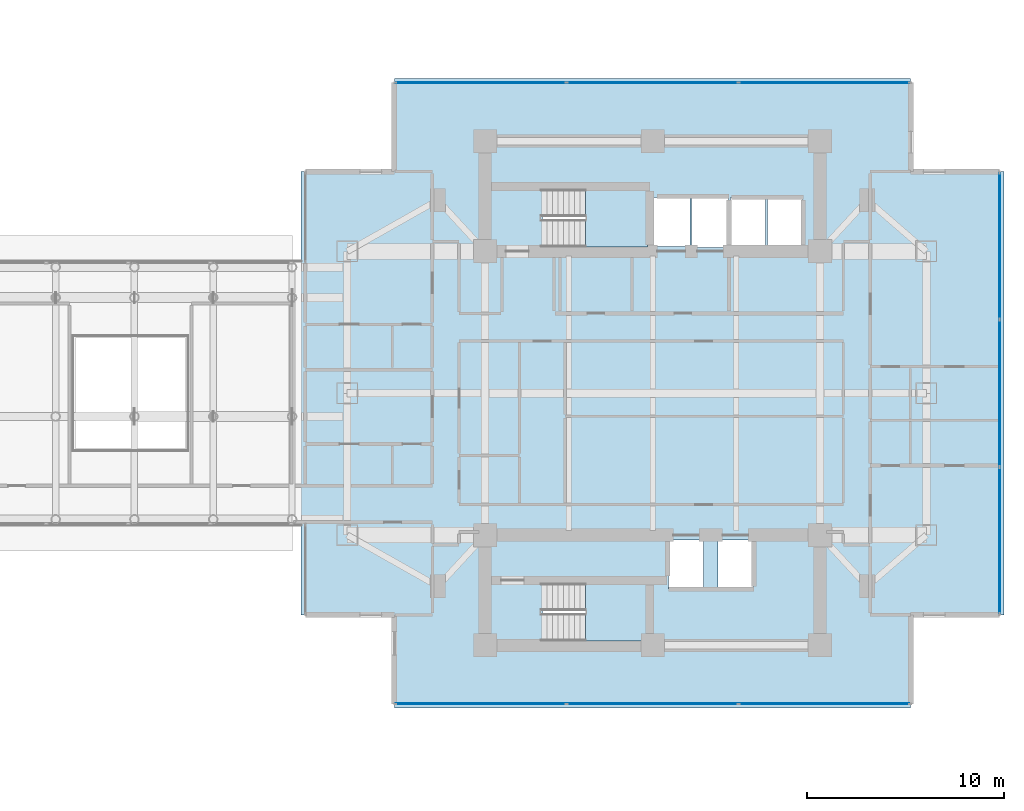
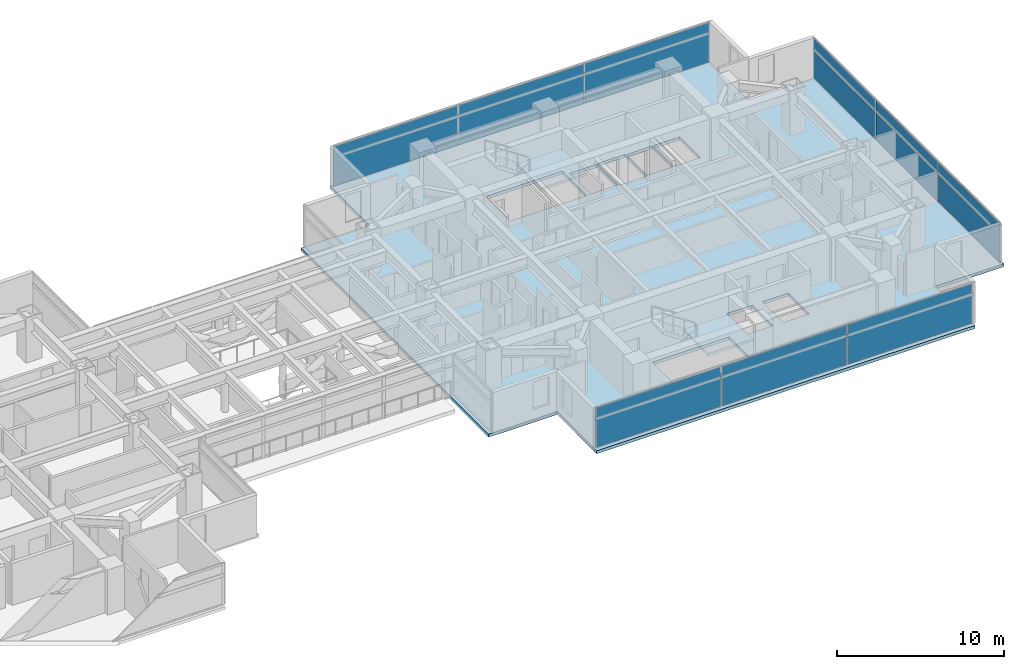
# One storey, part 13 of 27: 9 plates, 3 slabs, 5 elements without a shape of their own.
"""IFC4 building model written with IfcOpenShell, lengths in metres."""

from ifc_helpers import new_model, si_unit, direction, frame, origin, origin_2d, place, context, subcontext, project, spatial, polyline, rectangle, outline, extrude, material, layer, layer_set, type_object, element, aggregate, save


model = new_model("IFC4")

# Units and contexts
model_context = context("Model", 3, precision=1e-05, world=origin(), true_north=direction((0.0, 1.0)))
body_context = subcontext(model_context, "Body", "Model", "MODEL_VIEW")
ifc_project = project(units=[si_unit("LENGTHUNIT", "METRE"), si_unit("AREAUNIT", "SQUARE_METRE"), si_unit("VOLUMEUNIT", "CUBIC_METRE"), si_unit("PLANEANGLEUNIT", "RADIAN"), si_unit("MASSUNIT", "GRAM", prefix="KILO")], contexts=[model_context])

# Site, building, storey
site_placement = place(None, origin())
site = spatial("IfcSite", under=ifc_project, at=site_placement, CompositionType="ELEMENT")
building_placement = place(site_placement, origin())
building = spatial("IfcBuilding", under=site, at=building_placement, Name="Mirazonda Arch Towers", CompositionType="ELEMENT")
storey_placement = place(building_placement, frame((0.0, 0.0, 95.0)))
storey = spatial("IfcBuildingStorey", under=building, at=storey_placement, Name="L26", CompositionType="ELEMENT", Elevation=95.0)

# Curtain wall, plates
ifc_material_1 = material(Name="Anodised Aluminium and Low-E Glass", Category="aluminium")
curtain_wall_type = type_object("IfcCurtainWallType", Name="CW-HTL-UNIT", PredefinedType="NOTDEFINED", material=ifc_material_1)
curtain_wall_1_placement = place(storey_placement, origin())
curtain_wall_1 = element("IfcCurtainWall", 1, at=curtain_wall_1_placement, inside=storey, type_object=curtain_wall_type, Name="L26 T2 S Facade CW-L26-T2-S", PredefinedType="NOTDEFINED")
ifc_material_2 = material(Name="Insulated Low-E Solar Glass", Category="glass")
ifc_layer_1 = layer(ifc_material_2, 0.035888671875, Name="PAN-CW-HTL-UNIT")
ifc_layer_set_1 = layer_set([ifc_layer_1], Name="Insulated Low-E Solar Glass")
plate_type = type_object("IfcPlateType", Name="PAN-CW-HTL-UNIT", PredefinedType="CURTAIN_PANEL", material=ifc_layer_set_1)
plate_1_placement = place(storey_placement, frame((85.216064453125, 12.23583984375, 0.0751953125), z_axis=(0.0, 0.0, 1.0), x_axis=(-1.0, 0.0, 0.0)))
plate_1 = element("IfcPlate", 2, at=plate_1_placement, type_object=plate_type, Name="CW-112 panel 1.1", PredefinedType="CURTAIN_PANEL", context=body_context, shape_type="SweptSolid", body=[
    extrude(rectangle(XDim=8.622314453125, YDim=0.035888671875, at=origin_2d()), origin(), (0.0, 0.0, 1.0), 2.909912109375),
])
plate_2_placement = place(storey_placement, frame((76.5, 12.23583984375, 0.0751953125), z_axis=(0.0, 0.0, 1.0), x_axis=(-1.0, 0.0, 0.0)))
plate_2 = element("IfcPlate", 3, at=plate_2_placement, type_object=plate_type, Name="CW-112 panel 2.1", PredefinedType="CURTAIN_PANEL", context=body_context, shape_type="SweptSolid", body=[
    extrude(rectangle(XDim=8.659912109375, YDim=0.035888671875, at=origin_2d()), origin(), (0.0, 0.0, 1.0), 2.909912109375),
])
plate_3_placement = place(storey_placement, frame((67.783935546875, 12.23583984375, 0.0751953125), z_axis=(0.0, 0.0, 1.0), x_axis=(-1.0, 0.0, 0.0)))
plate_3 = element("IfcPlate", 4, at=plate_3_placement, type_object=plate_type, Name="CW-112 panel 3.1", PredefinedType="CURTAIN_PANEL", context=body_context, shape_type="SweptSolid", body=[
    extrude(rectangle(XDim=8.622314453125, YDim=0.035888671875, at=origin_2d()), origin(), (0.0, 0.0, 1.0), 2.909912109375),
])
aggregate(curtain_wall_1, [plate_1, plate_2, plate_3])

curtain_wall_2_placement = place(storey_placement, origin())
curtain_wall_2 = element("IfcCurtainWall", 5, at=curtain_wall_2_placement, inside=storey, type_object=curtain_wall_type, Name="L26 T2 E Facade CW-L26-T2-E", PredefinedType="NOTDEFINED")
plate_4_placement = place(storey_placement, frame((94.118408203125, 20.520263671875, 0.0751953125), z_axis=(0.0, 0.0, 1.0), x_axis=(0.0, 1.0, 0.0)))
plate_4 = element("IfcPlate", 6, at=plate_4_placement, type_object=plate_type, Name="CW-112 panel 1.1", PredefinedType="CURTAIN_PANEL", context=body_context, shape_type="SweptSolid", body=[
    extrude(rectangle(XDim=7.385986328125, YDim=0.035888671875, at=origin_2d()), origin(), (0.0, 0.0, 1.0), 2.909912109375),
])
plate_5_placement = place(storey_placement, frame((94.118408203125, 28.0, 0.0751953125), z_axis=(0.0, 0.0, 1.0), x_axis=(0.0, 1.0, 0.0)))
plate_5 = element("IfcPlate", 7, at=plate_5_placement, type_object=plate_type, Name="CW-112 panel 2.1", PredefinedType="CURTAIN_PANEL", context=body_context, shape_type="SweptSolid", body=[
    extrude(rectangle(XDim=7.423583984375, YDim=0.035888671875, at=origin_2d()), origin(), (0.0, 0.0, 1.0), 2.909912109375),
])
plate_6_placement = place(storey_placement, frame((94.118408203125, 35.479736328125, 0.0751953125), z_axis=(0.0, 0.0, 1.0), x_axis=(0.0, 1.0, 0.0)))
plate_6 = element("IfcPlate", 8, at=plate_6_placement, type_object=plate_type, Name="CW-112 panel 3.1", PredefinedType="CURTAIN_PANEL", context=body_context, shape_type="SweptSolid", body=[
    extrude(rectangle(XDim=7.385986328125, YDim=0.035888671875, at=origin_2d()), origin(), (0.0, 0.0, 1.0), 2.909912109375),
])
aggregate(curtain_wall_2, [plate_4, plate_5, plate_6])

curtain_wall_3_placement = place(storey_placement, origin())
curtain_wall_3 = element("IfcCurtainWall", 9, at=curtain_wall_3_placement, inside=storey, type_object=curtain_wall_type, Name="L26 T2 N Facade CW-L26-T2-N", PredefinedType="NOTDEFINED")
plate_7_placement = place(storey_placement, frame((67.783935546875, 43.76416015625, 0.0751953125), z_axis=(0.0, 0.0, 1.0), x_axis=(1.0, 0.0, 0.0)))
plate_7 = element("IfcPlate", 10, at=plate_7_placement, type_object=plate_type, Name="CW-112 panel 1.1", PredefinedType="CURTAIN_PANEL", context=body_context, shape_type="SweptSolid", body=[
    extrude(rectangle(XDim=8.622314453125, YDim=0.035888671875, at=origin_2d()), origin(), (0.0, 0.0, 1.0), 2.909912109375),
])
plate_8_placement = place(storey_placement, frame((76.5, 43.76416015625, 0.0751953125), z_axis=(0.0, 0.0, 1.0), x_axis=(1.0, 0.0, 0.0)))
plate_8 = element("IfcPlate", 11, at=plate_8_placement, type_object=plate_type, Name="CW-112 panel 2.1", PredefinedType="CURTAIN_PANEL", context=body_context, shape_type="SweptSolid", body=[
    extrude(rectangle(XDim=8.659912109375, YDim=0.035888671875, at=origin_2d()), origin(), (0.0, 0.0, 1.0), 2.909912109375),
])
plate_9_placement = place(storey_placement, frame((85.216064453125, 43.76416015625, 0.0751953125), z_axis=(0.0, 0.0, 1.0), x_axis=(1.0, 0.0, 0.0)))
plate_9 = element("IfcPlate", 12, at=plate_9_placement, type_object=plate_type, Name="CW-112 panel 3.1", PredefinedType="CURTAIN_PANEL", context=body_context, shape_type="SweptSolid", body=[
    extrude(rectangle(XDim=8.622314453125, YDim=0.035888671875, at=origin_2d()), origin(), (0.0, 0.0, 1.0), 2.909912109375),
])
aggregate(curtain_wall_3, [plate_7, plate_8, plate_9])

# Stair, slab
ifc_material_3 = material(Name="Concrete C40/50", Category="concrete")
stair_type = type_object("IfcStairType", Name="STAIR-CORE-1400", PredefinedType="HALF_TURN_STAIR", material=ifc_material_3)
stair_1_placement = place(storey_placement, origin())
stair_1 = element("IfcStair", 13, at=stair_1_placement, inside=storey, type_object=stair_type, Name="L26 Protected Exit Stair ST-T2N", PredefinedType="HALF_TURN_STAIR")
ifc_layer_2 = layer(ifc_material_3, 0.18994140625, Name="SLAB-LANDING-190")
ifc_layer_set_2 = layer_set([ifc_layer_2], Name="Concrete C40/50")
slab_type_1 = type_object("IfcSlabType", Name="SLAB-LANDING-190", PredefinedType="LANDING", material=ifc_layer_set_2)
slab_1_placement = place(storey_placement, frame((0.0, 0.0, 1.449951171875)))
slab_1 = element("IfcSlab", 14, at=slab_1_placement, type_object=slab_type_1, Name="ST-T2N landing 1", PredefinedType="LANDING", context=body_context, shape_type="SweptSolid", body=[
    extrude(outline(polyline([(73.090087890625, 35.419921875), (76.22998046875, 35.419921875), (76.22998046875, 38.360107421875), (73.090087890625, 38.360107421875), (73.090087890625, 35.419921875)])), origin(), (0.0, 0.0, 1.0), 0.199951171875),
])
aggregate(stair_1, [slab_1])

stair_2_placement = place(storey_placement, origin())
stair_2 = element("IfcStair", 15, at=stair_2_placement, inside=storey, type_object=stair_type, Name="L26 Protected Exit Stair ST-T2S", PredefinedType="HALF_TURN_STAIR")
slab_2_placement = place(storey_placement, frame((0.0, 0.0, 1.449951171875)))
slab_2 = element("IfcSlab", 16, at=slab_2_placement, type_object=slab_type_1, Name="ST-T2S landing 1", PredefinedType="LANDING", context=body_context, shape_type="SweptSolid", body=[
    extrude(outline(polyline([(73.090087890625, 15.419921875), (76.22998046875, 15.419921875), (76.22998046875, 18.360107421875), (73.090087890625, 18.360107421875), (73.090087890625, 15.419921875)])), origin(), (0.0, 0.0, 1.0), 0.199951171875),
])
aggregate(stair_2, [slab_2])

# Slab
ifc_layer_3 = layer(ifc_material_3, 0.219970703125, Name="SLAB-TWR-220")
ifc_layer_set_3 = layer_set([ifc_layer_3], Name="Concrete C40/50")
slab_type_2 = type_object("IfcSlabType", Name="SLAB-TWR-220", PredefinedType="FLOOR", material=ifc_layer_set_3)
slab_3_placement = place(storey_placement, frame((0.0, 0.0, -0.219970703125)))
element("IfcSlab", 17, at=slab_3_placement, inside=storey, type_object=slab_type_2, Name="L26 Tower 2 Floor Slab", PredefinedType="FLOOR", context=body_context, shape_type="SweptSolid", body=[
    extrude(outline(polyline([(63.397705078125, 12.015869140625), (89.602294921875, 12.015869140625), (89.602294921875, 16.752197265625), (94.33837890625, 16.752197265625), (94.33837890625, 39.247802734375), (89.602294921875, 39.247802734375), (89.602294921875, 43.984130859375), (63.397705078125, 43.984130859375), (63.397705078125, 39.247802734375), (58.66162109375, 39.247802734375), (58.66162109375, 16.752197265625), (63.397705078125, 16.752197265625), (63.397705078125, 12.015869140625)]), holes=[polyline([(82.330078125, 37.93994140625), (84.110107421875, 37.93994140625), (84.110107421875, 35.4599609375), (82.330078125, 35.4599609375), (82.330078125, 37.93994140625)]), polyline([(80.449951171875, 37.93994140625), (82.22998046875, 37.93994140625), (82.22998046875, 35.4599609375), (80.449951171875, 35.4599609375), (80.449951171875, 37.93994140625)]), polyline([(79.81005859375, 20.5400390625), (81.590087890625, 20.5400390625), (81.590087890625, 18.06005859375), (79.81005859375, 18.06005859375), (79.81005859375, 20.5400390625)]), polyline([(78.47998046875, 37.989990234375), (80.360107421875, 37.989990234375), (80.360107421875, 35.409912109375), (78.47998046875, 35.409912109375), (78.47998046875, 37.989990234375)]), polyline([(77.31005859375, 20.5400390625), (79.090087890625, 20.5400390625), (79.090087890625, 18.06005859375), (77.31005859375, 18.06005859375), (77.31005859375, 20.5400390625)]), polyline([(76.510009765625, 37.93994140625), (78.389892578125, 37.93994140625), (78.389892578125, 35.4599609375), (76.510009765625, 35.4599609375), (76.510009765625, 37.93994140625)]), polyline([(70.925048828125, 15.419921875), (70.925048828125, 18.360107421875), (76.22998046875, 18.360107421875), (76.22998046875, 15.419921875), (70.925048828125, 15.419921875)]), polyline([(70.925048828125, 35.419921875), (70.925048828125, 38.360107421875), (76.22998046875, 38.360107421875), (76.22998046875, 35.419921875), (70.925048828125, 35.419921875)])]), origin(), (0.0, 0.0, 1.0), 0.219970703125),
])

save(model, "model.ifc")
